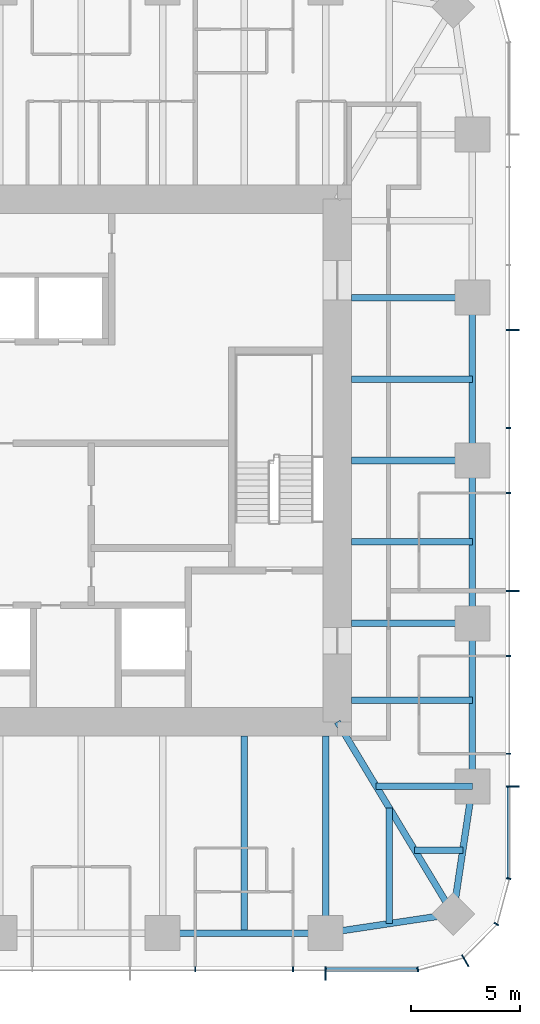
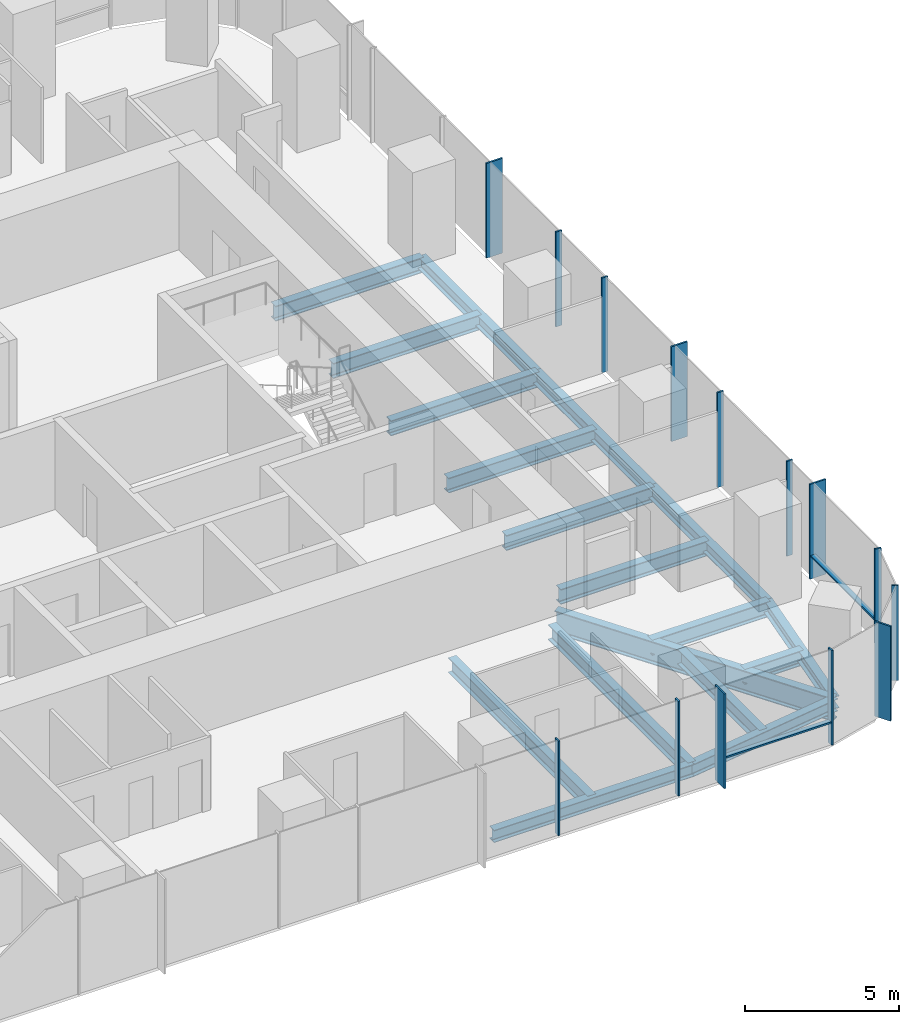
# One storey, part 4 of 12: 18 beams, 16 members, 3 elements without a shape of their own.
"""IFC4 building model written with IfcOpenShell, lengths in metres."""

from ifc_helpers import new_model, si_unit, direction, frame, origin, origin_2d, place, context, subcontext, project, spatial, rectangle, i_section, extrude, material, material_profile, profile_set, type_object, element, aggregate, save


model = new_model("IFC4")

# Units and contexts
model_context = context("Model", 3, precision=1e-05, world=origin(), true_north=direction((0.0, 1.0)))
body_context = subcontext(model_context, "Body", "Model", "MODEL_VIEW")
ifc_project = project(units=[si_unit("LENGTHUNIT", "METRE"), si_unit("AREAUNIT", "SQUARE_METRE"), si_unit("VOLUMEUNIT", "CUBIC_METRE"), si_unit("PLANEANGLEUNIT", "RADIAN"), si_unit("MASSUNIT", "GRAM", prefix="KILO")], contexts=[model_context])

# Site, building, storey
site_placement = place(None, origin())
site = spatial("IfcSite", under=ifc_project, at=site_placement, CompositionType="ELEMENT")
building_placement = place(site_placement, origin())
building = spatial("IfcBuilding", under=site, at=building_placement, Name="Khuree Lantern Residences", CompositionType="ELEMENT")
storey_placement = place(building_placement, frame((0.0, 0.0, 319.5)))
storey = spatial("IfcBuildingStorey", under=building, at=storey_placement, Name="L80", CompositionType="ELEMENT", Elevation=319.5)

# Beams
ifc_material_1 = material(Name="Steel S355", Category="steel")
ifc_material_profile_1 = material_profile(ifc_material_1, i_section(OverallWidth=0.300048828125, OverallDepth=0.590087890625, WebThickness=0.012939453125, FlangeThickness=0.02490234375, FilletRadius=0.027099609375, at=origin_2d()), Name="HE 600 A")
ifc_profile_set_1 = profile_set([ifc_material_profile_1], Name="Steel S355")
beam_type_1 = type_object("IfcBeamType", Name="B-43 SECONDARY BEAM HE 600 A", PredefinedType="BEAM", material=ifc_profile_set_1)
for number, where, z_axis, x_axis, name in (
    (1, (21.699951171875, 3.739990234375, -0.544921875), (-1.0, 0.0, 0.0), (0.0, -1.0, 0.0), "Secondary beam E3"),
    (2, (21.699951171875, -3.739990234375, -0.544921875), (-1.0, 0.0, 0.0), (0.0, -1.0, 0.0), "Secondary beam E4"),
    (3, (21.699951171875, -11.0, -0.544921875), (-1.0, 0.0, 0.0), (0.0, -1.0, 0.0), "Secondary beam E5"),
):
    element("IfcBeam", number, at=place(storey_placement, frame(where, z_axis=z_axis, x_axis=x_axis)), inside=storey, type_object=beam_type_1, Name=name, PredefinedType="BEAM", context=body_context, shape_type="SweptSolid", body=[
        extrude(i_section(OverallWidth=0.300048828125, OverallDepth=0.590087890625, WebThickness=0.012939453125, FlangeThickness=0.02490234375, FilletRadius=0.027099609375, at=origin_2d()), origin(), (0.0, 0.0, 1.0), 5.550048828125),
    ])
beam_1_placement = place(storey_placement, frame((21.2607421875, -17.890625, -0.544921875), z_axis=(-1.0, 0.0, 0.0), x_axis=(0.0, -1.0, 0.0)))
element("IfcBeam", 4, at=beam_1_placement, inside=storey, type_object=beam_type_1, Name="Secondary beam E6", PredefinedType="BEAM", context=body_context, shape_type="SweptSolid", body=[
    extrude(i_section(OverallWidth=0.300048828125, OverallDepth=0.590087890625, WebThickness=0.012939453125, FlangeThickness=0.02490234375, FilletRadius=0.027099609375, at=origin_2d()), origin(), (0.0, 0.0, 1.0), 2.207275390625),
])
beam_2_placement = place(storey_placement, frame((17.890625, -21.2607421875, -0.544921875), z_axis=(0.0, 1.0, 0.0), x_axis=(-1.0, 0.0, 0.0)))
element("IfcBeam", 5, at=beam_2_placement, inside=storey, type_object=beam_type_1, Name="Secondary beam S1", PredefinedType="BEAM", context=body_context, shape_type="SweptSolid", body=[
    extrude(i_section(OverallWidth=0.300048828125, OverallDepth=0.590087890625, WebThickness=0.012939453125, FlangeThickness=0.02490234375, FilletRadius=0.027099609375, at=origin_2d()), origin(), (0.0, 0.0, 1.0), 5.297607421875),
])
beam_3_placement = place(storey_placement, frame((11.219970703125, -21.699951171875, -0.544921875), z_axis=(0.0, 1.0, 0.0), x_axis=(-1.0, 0.0, 0.0)))
element("IfcBeam", 6, at=beam_3_placement, inside=storey, type_object=beam_type_1, Name="Secondary beam S2", PredefinedType="BEAM", context=body_context, shape_type="SweptSolid", body=[
    extrude(i_section(OverallWidth=0.300048828125, OverallDepth=0.590087890625, WebThickness=0.012939453125, FlangeThickness=0.02490234375, FilletRadius=0.027099609375, at=origin_2d()), origin(), (0.0, 0.0, 1.0), 9.050048828125),
])
ifc_material_profile_2 = material_profile(ifc_material_1, i_section(OverallWidth=0.300048828125, OverallDepth=0.489990234375, WebThickness=0.011962890625, FlangeThickness=0.02294921875, FilletRadius=0.027099609375, at=origin_2d()), Name="HE 500 A")
ifc_profile_set_2 = profile_set([ifc_material_profile_2], Name="Steel S355")
beam_type_2 = type_object("IfcBeamType", Name="E-43 SPANDREL BEAM HE 500 A", PredefinedType="SPANDREL", material=ifc_profile_set_2)
for number, where, z_axis, x_axis, name in (
    (7, (21.699951171875, 7.47998046875, -0.4951171875), (0.0, -1.0, 0.0), (1.0, 0.0, 0.0), "Spandrel beam E3"),
    (8, (21.699951171875, 0.0, -0.4951171875), (0.0, -1.0, 0.0), (1.0, 0.0, 0.0), "Spandrel beam E4"),
    (9, (21.699951171875, -7.47998046875, -0.4951171875), (0.0, -1.0, 0.0), (1.0, 0.0, 0.0), "Spandrel beam E5"),
):
    element("IfcBeam", number, at=place(storey_placement, frame(where, z_axis=z_axis, x_axis=x_axis)), inside=storey, type_object=beam_type_2, Name=name, PredefinedType="SPANDREL", context=body_context, shape_type="SweptSolid", body=[
        extrude(i_section(OverallWidth=0.300048828125, OverallDepth=0.489990234375, WebThickness=0.011962890625, FlangeThickness=0.02294921875, FilletRadius=0.027099609375, at=origin_2d()), origin(), (0.0, 0.0, 1.0), 7.47998046875),
    ])
for number, where, z_axis, x_axis, name in (
    (10, (21.699951171875, -14.9599609375, -0.4951171875), (-0.148251822985, -0.988949643299, 0.0), (0.988949643299, -0.148251822985, 0.0), "Spandrel beam E6"),
    (11, (20.8212890625, -20.8212890625, -0.4951171875), (-0.988949643299, -0.148251822985, 0.0), (0.148251822985, -0.988949643299, 0.0), "Spandrel beam S1"),
):
    element("IfcBeam", number, at=place(storey_placement, frame(where, z_axis=z_axis, x_axis=x_axis)), inside=storey, type_object=beam_type_2, Name=name, PredefinedType="SPANDREL", context=body_context, shape_type="SweptSolid", body=[
        extrude(i_section(OverallWidth=0.300048828125, OverallDepth=0.489990234375, WebThickness=0.011962890625, FlangeThickness=0.02294921875, FilletRadius=0.027099609375, at=origin_2d()), origin(), (0.0, 0.0, 1.0), 5.9267578125),
    ])
beam_4_placement = place(storey_placement, frame((14.9599609375, -21.699951171875, -0.4951171875), z_axis=(-1.0, 0.0, 0.0), x_axis=(0.0, -1.0, 0.0)))
element("IfcBeam", 12, at=beam_4_placement, inside=storey, type_object=beam_type_2, Name="Spandrel beam S2", PredefinedType="SPANDREL", context=body_context, shape_type="SweptSolid", body=[
    extrude(i_section(OverallWidth=0.300048828125, OverallDepth=0.489990234375, WebThickness=0.011962890625, FlangeThickness=0.02294921875, FilletRadius=0.027099609375, at=origin_2d()), origin(), (0.0, 0.0, 1.0), 7.47998046875),
])

# Curtain wall, member
ifc_material_2 = material(Name="Bronze anodised aluminium", Category="aluminium")
curtain_wall_type_1 = type_object("IfcCurtainWallType", Name="CW-T2 TOWER CORNER CURTAIN WALL", PredefinedType="USERDEFINED", material=ifc_material_2)
curtain_wall_1_placement = place(storey_placement, origin())
curtain_wall_1 = element("IfcCurtainWall", 13, at=curtain_wall_1_placement, inside=storey, type_object=curtain_wall_type_1, Name="L80 SOUTH-EAST CORNER CURTAIN WALL", ObjectType="Faceted corner curtain wall", PredefinedType="USERDEFINED")
ifc_material_profile_3 = material_profile(ifc_material_2, rectangle(XDim=0.06494140625, YDim=0.60009765625, at=origin_2d()), Name="F1 65X600")
ifc_profile_set_3 = profile_set([ifc_material_profile_3], Name="Bronze anodised aluminium")
member_type_1 = type_object("IfcMemberType", Name="F1 BRONZE FIN MULLION TOWER 65X600", PredefinedType="MULLION", material=ifc_profile_set_3)
member_1_placement = place(storey_placement, frame((21.375, -22.96728515625, 0.0), z_axis=(0.0, 0.0, 1.0), x_axis=(0.866025437565, 0.49999994149, 0.0)))
member_1 = element("IfcMember", 14, at=member_1_placement, type_object=member_type_1, Name="L80 SOUTH-EAST CORNER FIN MULLION 2", PredefinedType="MULLION", context=body_context, shape_type="SweptSolid", body=[
    extrude(rectangle(XDim=0.06494140625, YDim=0.60009765625, at=origin_2d()), origin(), (0.0, 0.0, 1.0), 3.75),
])

# Curtain wall, members
curtain_wall_type_2 = type_object("IfcCurtainWallType", Name="CW-T1 TOWER FACE CURTAIN WALL", PredefinedType="USERDEFINED", material=ifc_material_2)
curtain_wall_2_placement = place(storey_placement, origin())
curtain_wall_2 = element("IfcCurtainWall", 15, at=curtain_wall_2_placement, inside=storey, type_object=curtain_wall_type_2, Name="L80 EAST FACE CURTAIN WALL", ObjectType="Stick-built curtain wall", PredefinedType="USERDEFINED")
member_2_placement = place(storey_placement, frame((23.550048828125, -14.9599609375, 0.0), z_axis=(0.0, 0.0, 1.0), x_axis=(0.0, 1.0, 0.0)))
member_2 = element("IfcMember", 16, at=member_2_placement, type_object=member_type_1, Name="L80 EAST FACE FIN MULLION 5", PredefinedType="MULLION", context=body_context, shape_type="SweptSolid", body=[
    extrude(rectangle(XDim=0.06494140625, YDim=0.60009765625, at=origin_2d()), origin(), (0.0, 0.0, 1.0), 3.75),
])
member_3_placement = place(storey_placement, frame((23.550048828125, -5.98388671875, 0.0), z_axis=(0.0, 0.0, 1.0), x_axis=(0.0, 1.0, 0.0)))
member_3 = element("IfcMember", 17, at=member_3_placement, type_object=member_type_1, Name="L80 EAST FACE FIN MULLION 8", PredefinedType="MULLION", context=body_context, shape_type="SweptSolid", body=[
    extrude(rectangle(XDim=0.06494140625, YDim=0.60009765625, at=origin_2d()), origin(), (0.0, 0.0, 1.0), 3.75),
])
member_4_placement = place(storey_placement, frame((23.550048828125, 5.98388671875, 0.0), z_axis=(0.0, 0.0, 1.0), x_axis=(0.0, 1.0, 0.0)))
member_4 = element("IfcMember", 18, at=member_4_placement, type_object=member_type_1, Name="L80 EAST FACE FIN MULLION 11", PredefinedType="MULLION", context=body_context, shape_type="SweptSolid", body=[
    extrude(rectangle(XDim=0.06494140625, YDim=0.60009765625, at=origin_2d()), origin(), (0.0, 0.0, 1.0), 3.75),
])

# Curtain wall, member
curtain_wall_3_placement = place(storey_placement, origin())
curtain_wall_3 = element("IfcCurtainWall", 19, at=curtain_wall_3_placement, inside=storey, type_object=curtain_wall_type_2, Name="L80 SOUTH FACE CURTAIN WALL", ObjectType="Stick-built curtain wall", PredefinedType="USERDEFINED")
member_5_placement = place(storey_placement, frame((14.9599609375, -23.550048828125, 0.0), z_axis=(0.0, 0.0, 1.0), x_axis=(1.0, 0.0, 0.0)))
member_5 = element("IfcMember", 20, at=member_5_placement, type_object=member_type_1, Name="L80 SOUTH FACE FIN MULLION 56", PredefinedType="MULLION", context=body_context, shape_type="SweptSolid", body=[
    extrude(rectangle(XDim=0.06494140625, YDim=0.60009765625, at=origin_2d()), origin(), (0.0, 0.0, 1.0), 3.75),
])

# Beams
ifc_material_profile_4 = material_profile(ifc_material_1, i_section(OverallWidth=0.300048828125, OverallDepth=0.60009765625, WebThickness=0.015380859375, FlangeThickness=0.030029296875, FilletRadius=0.027099609375, at=origin_2d()), Name="HE 600 B")
ifc_profile_set_4 = profile_set([ifc_material_profile_4], Name="Steel S355")
beam_type_3 = type_object("IfcBeamType", Name="G-43 GIRDER HE 600 B", PredefinedType="BEAM", material=ifc_profile_set_4)
for number, where, z_axis, x_axis, name in (
    (21, (21.699951171875, 7.47998046875, -0.550048828125), (-1.0, 0.0, 0.0), (0.0, -1.0, 0.0), "Girder E2"),
    (22, (21.699951171875, 0.0, -0.550048828125), (-1.0, 0.0, 0.0), (0.0, -1.0, 0.0), "Girder E3"),
    (23, (21.699951171875, -7.47998046875, -0.550048828125), (-1.0, 0.0, 0.0), (0.0, -1.0, 0.0), "Girder E4"),
):
    element("IfcBeam", number, at=place(storey_placement, frame(where, z_axis=z_axis, x_axis=x_axis)), inside=storey, type_object=beam_type_3, Name=name, PredefinedType="BEAM", context=body_context, shape_type="SweptSolid", body=[
        extrude(i_section(OverallWidth=0.300048828125, OverallDepth=0.60009765625, WebThickness=0.015380859375, FlangeThickness=0.030029296875, FilletRadius=0.027099609375, at=origin_2d()), origin(), (0.0, 0.0, 1.0), 5.550048828125),
    ])
beam_5_placement = place(storey_placement, frame((21.699951171875, -14.9599609375, -0.550048828125), z_axis=(-1.0, 0.0, 0.0), x_axis=(0.0, -1.0, 0.0)))
element("IfcBeam", 24, at=beam_5_placement, inside=storey, type_object=beam_type_3, Name="Girder E5", PredefinedType="BEAM", context=body_context, shape_type="SweptSolid", body=[
    extrude(i_section(OverallWidth=0.300048828125, OverallDepth=0.60009765625, WebThickness=0.015380859375, FlangeThickness=0.030029296875, FilletRadius=0.027099609375, at=origin_2d()), origin(), (0.0, 0.0, 1.0), 4.414306640625),
])
beam_6_placement = place(storey_placement, frame((14.9599609375, -21.699951171875, -0.550048828125), z_axis=(0.0, 1.0, 0.0), x_axis=(-1.0, 0.0, 0.0)))
element("IfcBeam", 25, at=beam_6_placement, inside=storey, type_object=beam_type_3, Name="Girder S1", PredefinedType="BEAM", context=body_context, shape_type="SweptSolid", body=[
    extrude(i_section(OverallWidth=0.300048828125, OverallDepth=0.60009765625, WebThickness=0.015380859375, FlangeThickness=0.030029296875, FilletRadius=0.027099609375, at=origin_2d()), origin(), (0.0, 0.0, 1.0), 9.050048828125),
])
ifc_material_profile_5 = material_profile(ifc_material_1, i_section(OverallWidth=0.300048828125, OverallDepth=0.89990234375, WebThickness=0.0185546875, FlangeThickness=0.034912109375, FilletRadius=0.030029296875, at=origin_2d()), Name="HE 900 B")
ifc_profile_set_5 = profile_set([ifc_material_profile_5], Name="Steel S355")
beam_type_4 = type_object("IfcBeamType", Name="GD-43 CORNER GIRDER HE 900 B", PredefinedType="BEAM", material=ifc_profile_set_5)
beam_7_placement = place(storey_placement, frame((20.8212890625, -20.8212890625, -0.699951171875), z_axis=(-0.516529577604, 0.856269347495, 0.0), x_axis=(-0.856269347495, -0.516529577604, 0.0)))
element("IfcBeam", 26, at=beam_7_placement, inside=storey, type_object=beam_type_4, Name="Corner girder SE", PredefinedType="BEAM", context=body_context, shape_type="SweptSolid", body=[
    extrude(i_section(OverallWidth=0.300048828125, OverallDepth=0.89990234375, WebThickness=0.0185546875, FlangeThickness=0.034912109375, FilletRadius=0.030029296875, at=origin_2d()), origin(), (0.0, 0.0, 1.0), 10.302001953125),
])

# Member
ifc_material_profile_6 = material_profile(ifc_material_2, rectangle(XDim=0.06494140625, YDim=0.219970703125, at=origin_2d()), Name="M1 65X220")
ifc_profile_set_6 = profile_set([ifc_material_profile_6], Name="Bronze anodised aluminium")
member_type_2 = type_object("IfcMemberType", Name="M1 BRONZE MULLION TOWER 65X220", PredefinedType="MULLION", material=ifc_profile_set_6)
member_6_placement = place(storey_placement, frame((19.195068359375, -23.36181640625, 0.0), z_axis=(0.0, 0.0, 1.0), x_axis=(0.991444870192, 0.130526125236, 0.0)))
member_6 = element("IfcMember", 27, at=member_6_placement, type_object=member_type_2, Name="L80 SOUTH-EAST CORNER MULLION 1", PredefinedType="MULLION", context=body_context, shape_type="SweptSolid", body=[
    extrude(rectangle(XDim=0.06494140625, YDim=0.219970703125, at=origin_2d()), origin(), (0.0, 0.0, 1.0), 3.75),
])

member_7_placement = place(storey_placement, frame((22.802734375, -21.280029296875, 0.0), z_axis=(0.0, 0.0, 1.0), x_axis=(0.49999994149, 0.866025437565, 0.0)))
member_7 = element("IfcMember", 28, at=member_7_placement, type_object=member_type_2, Name="L80 SOUTH-EAST CORNER MULLION 3", PredefinedType="MULLION", context=body_context, shape_type="SweptSolid", body=[
    extrude(rectangle(XDim=0.06494140625, YDim=0.219970703125, at=origin_2d()), origin(), (0.0, 0.0, 1.0), 3.75),
])

aggregate(curtain_wall_1, [member_6, member_1, member_7])

member_8_placement = place(storey_placement, frame((23.36181640625, -19.195068359375, 0.0), z_axis=(0.0, 0.0, 1.0), x_axis=(0.130526125236, 0.991444870192, 0.0)))
member_8 = element("IfcMember", 29, at=member_8_placement, type_object=member_type_2, Name="L80 EAST FACE MULLION 4", PredefinedType="MULLION", context=body_context, shape_type="SweptSolid", body=[
    extrude(rectangle(XDim=0.06494140625, YDim=0.219970703125, at=origin_2d()), origin(), (0.0, 0.0, 1.0), 3.75),
])

member_9_placement = place(storey_placement, frame((23.360107421875, -13.464111328125, 0.0), z_axis=(0.0, 0.0, 1.0), x_axis=(0.0, 1.0, 0.0)))
member_9 = element("IfcMember", 30, at=member_9_placement, type_object=member_type_2, Name="L80 EAST FACE MULLION 6", PredefinedType="MULLION", context=body_context, shape_type="SweptSolid", body=[
    extrude(rectangle(XDim=0.06494140625, YDim=0.219970703125, at=origin_2d()), origin(), (0.0, 0.0, 1.0), 3.75),
])

member_10_placement = place(storey_placement, frame((23.360107421875, -8.97607421875, 0.0), z_axis=(0.0, 0.0, 1.0), x_axis=(0.0, 1.0, 0.0)))
member_10 = element("IfcMember", 31, at=member_10_placement, type_object=member_type_2, Name="L80 EAST FACE MULLION 7", PredefinedType="MULLION", context=body_context, shape_type="SweptSolid", body=[
    extrude(rectangle(XDim=0.06494140625, YDim=0.219970703125, at=origin_2d()), origin(), (0.0, 0.0, 1.0), 3.75),
])

member_11_placement = place(storey_placement, frame((23.360107421875, -1.49609375, 0.0), z_axis=(0.0, 0.0, 1.0), x_axis=(0.0, 1.0, 0.0)))
member_11 = element("IfcMember", 32, at=member_11_placement, type_object=member_type_2, Name="L80 EAST FACE MULLION 9", PredefinedType="MULLION", context=body_context, shape_type="SweptSolid", body=[
    extrude(rectangle(XDim=0.06494140625, YDim=0.219970703125, at=origin_2d()), origin(), (0.0, 0.0, 1.0), 3.75),
])

member_12_placement = place(storey_placement, frame((23.360107421875, 1.49609375, 0.0), z_axis=(0.0, 0.0, 1.0), x_axis=(0.0, 1.0, 0.0)))
member_12 = element("IfcMember", 33, at=member_12_placement, type_object=member_type_2, Name="L80 EAST FACE MULLION 10", PredefinedType="MULLION", context=body_context, shape_type="SweptSolid", body=[
    extrude(rectangle(XDim=0.06494140625, YDim=0.219970703125, at=origin_2d()), origin(), (0.0, 0.0, 1.0), 3.75),
])

member_13_placement = place(storey_placement, frame((8.97607421875, -23.360107421875, 0.0), z_axis=(0.0, 0.0, 1.0), x_axis=(1.0, 0.0, 0.0)))
member_13 = element("IfcMember", 34, at=member_13_placement, type_object=member_type_2, Name="L80 SOUTH FACE MULLION 54", PredefinedType="MULLION", context=body_context, shape_type="SweptSolid", body=[
    extrude(rectangle(XDim=0.06494140625, YDim=0.219970703125, at=origin_2d()), origin(), (0.0, 0.0, 1.0), 3.75),
])

member_14_placement = place(storey_placement, frame((13.464111328125, -23.360107421875, 0.0), z_axis=(0.0, 0.0, 1.0), x_axis=(1.0, 0.0, 0.0)))
member_14 = element("IfcMember", 35, at=member_14_placement, type_object=member_type_2, Name="L80 SOUTH FACE MULLION 55", PredefinedType="MULLION", context=body_context, shape_type="SweptSolid", body=[
    extrude(rectangle(XDim=0.06494140625, YDim=0.219970703125, at=origin_2d()), origin(), (0.0, 0.0, 1.0), 3.75),
])

ifc_material_profile_7 = material_profile(ifc_material_2, rectangle(XDim=0.179931640625, YDim=0.06494140625, at=origin_2d()), Name="T1 180X65")
ifc_profile_set_7 = profile_set([ifc_material_profile_7], Name="Bronze anodised aluminium")
member_type_3 = type_object("IfcMemberType", Name="TRANSOM T1 TOWER 180X65", PredefinedType="USERDEFINED", material=ifc_profile_set_7)
member_15_placement = place(storey_placement, frame((23.3701171875, -19.1513671875, 0.89990234375), z_axis=(0.0, 1.0, 0.0), x_axis=(-1.0, 0.0, 0.0)))
member_15 = element("IfcMember", 36, at=member_15_placement, type_object=member_type_3, Name="L80 EAST FACE TRANSOM 4.1", ObjectType="Transom", PredefinedType="USERDEFINED", context=body_context, shape_type="SweptSolid", body=[
    extrude(rectangle(XDim=0.179931640625, YDim=0.06494140625, at=origin_2d()), origin(), (0.0, 0.0, 1.0), 4.158935546875),
])

aggregate(curtain_wall_2, [member_8, member_2, member_9, member_10, member_3, member_11, member_12, member_4, member_15])

member_16_placement = place(storey_placement, frame((14.992431640625, -23.3701171875, 0.89990234375), z_axis=(1.0, 0.0, 0.0), x_axis=(0.0, 1.0, 0.0)))
member_16 = element("IfcMember", 37, at=member_16_placement, type_object=member_type_3, Name="L80 SOUTH FACE TRANSOM 56.1", ObjectType="Transom", PredefinedType="USERDEFINED", context=body_context, shape_type="SweptSolid", body=[
    extrude(rectangle(XDim=0.179931640625, YDim=0.06494140625, at=origin_2d()), origin(), (0.0, 0.0, 1.0), 4.158935546875),
])

aggregate(curtain_wall_3, [member_13, member_14, member_5, member_16])

save(model, "model.ifc")
